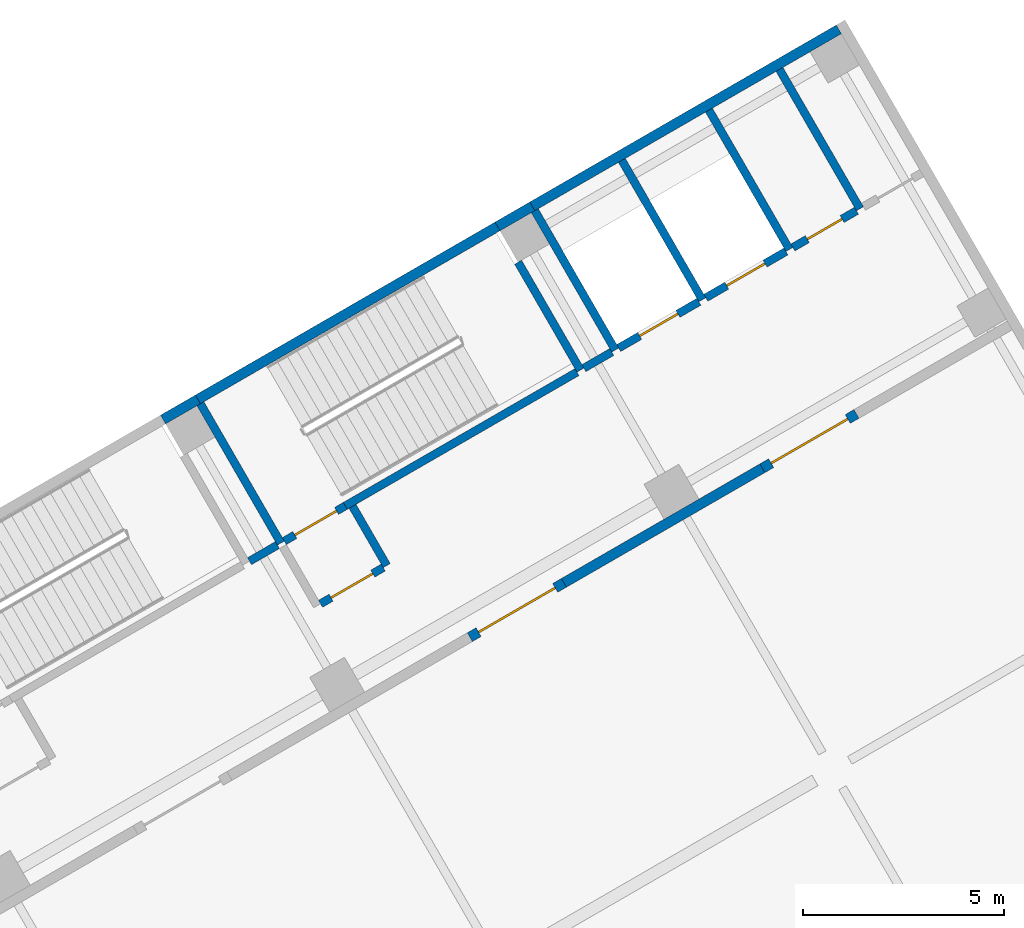
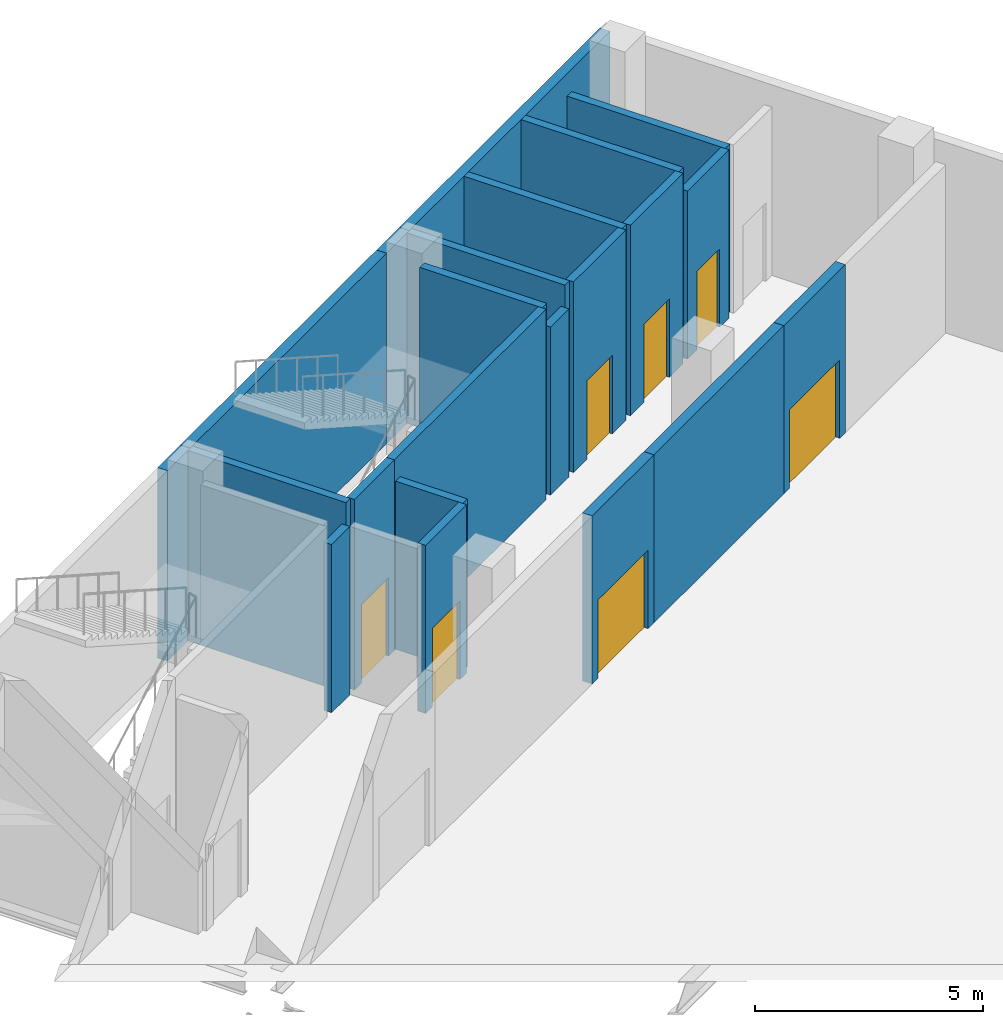
# One storey, part 20 of 35: 22 walls, 7 doors, 7 openings.
"""IFC4 building model written with IfcOpenShell, lengths in metres."""

from ifc_helpers import new_model, si_unit, direction, frame, frame_2d, origin, place, context, subcontext, project, spatial, rectangle, extrude, material, layer, layer_set, type_object, element, fill, save


model = new_model("IFC4")

# Units and contexts
model_context = context("Model", 3, precision=1e-05, world=origin(), true_north=direction((0.0, 1.0)))
body_context = subcontext(model_context, "Body", "Model", "MODEL_VIEW")
ifc_project = project(units=[si_unit("LENGTHUNIT", "METRE"), si_unit("AREAUNIT", "SQUARE_METRE"), si_unit("VOLUMEUNIT", "CUBIC_METRE"), si_unit("PLANEANGLEUNIT", "RADIAN"), si_unit("MASSUNIT", "GRAM", prefix="KILO")], contexts=[model_context])

# Site, building, storey
site_placement = place(None, origin())
site = spatial("IfcSite", under=ifc_project, at=site_placement, CompositionType="ELEMENT")
building_placement = place(site_placement, origin())
building = spatial("IfcBuilding", under=site, at=building_placement, Name="Mestral Congress Tower", CompositionType="ELEMENT")
storey_placement = place(building_placement, frame((0.0, 0.0, 6.0)))
storey = spatial("IfcBuildingStorey", under=building, at=storey_placement, Name="L01", CompositionType="ELEMENT", Elevation=6.0)

# Walls
ifc_material_1 = material(Name="Precast concrete C40/50 with limestone facing", Category="masonry")
ifc_layer_1 = layer(ifc_material_1, 0.25)
ifc_layer_set_1 = layer_set([ifc_layer_1], Name="Precast concrete C40/50 with limestone facing")
wall_type_1 = type_object("IfcWallType", Name="Podium external wall 250", PredefinedType="SOLIDWALL", material=ifc_layer_set_1)
wall_1_placement = place(storey_placement, frame((27.9345703125, 62.171875, 0.0), z_axis=(0.0, 0.0, 1.0), x_axis=(0.86604045752, 0.499973925258, 0.0)))
element("IfcWall", 1, at=wall_1_placement, inside=storey, type_object=wall_type_1, Name="L01 external wall", PredefinedType="SOLIDWALL", context=body_context, shape_type="SweptSolid", body=[
    extrude(rectangle(XDim=8.60009765625, YDim=0.25, at=frame_2d((4.300048828125, 0.0))), origin(), (0.0, 0.0, 1.0), 5.10009765625),
])
wall_2_placement = place(storey_placement, frame((36.24853515625, 66.9716796875, 0.0), z_axis=(0.0, 0.0, 1.0), x_axis=(0.866013253925, 0.500021043584, 0.0)))
element("IfcWall", 2, at=wall_2_placement, inside=storey, type_object=wall_type_1, Name="L01 external wall", PredefinedType="SOLIDWALL", context=body_context, shape_type="SweptSolid", body=[
    extrude(rectangle(XDim=8.7998046875, YDim=0.25, at=frame_2d((4.39990234375, 0.0))), origin(), (0.0, 0.0, 1.0), 5.10009765625),
])
for number, where, z_axis, x_axis, name in (
    (3, (27.068603515625, 61.671875, 0.0), (0.0, 0.0, 1.0), (0.866010750942, 0.50002537861, 0.0), "L01 external wall"),
    (4, (35.382568359375, 66.4716796875, 0.0), (0.0, 0.0, 1.0), (0.866010750942, 0.50002537861, 0.0), "L01 external wall"),
):
    element("IfcWall", number, at=place(storey_placement, frame(where, z_axis=z_axis, x_axis=x_axis)), inside=storey, type_object=wall_type_1, Name=name, PredefinedType="SOLIDWALL", context=body_context, shape_type="SweptSolid", body=[
        extrude(rectangle(XDim=1.0, YDim=0.25, at=frame_2d((0.5, 0.0))), origin(), (0.0, 0.0, 1.0), 5.10009765625),
    ])

# Wall, opening, door
ifc_material_2 = material(Name="Masonry block wall", Category="masonry")
ifc_layer_2 = layer(ifc_material_2, 0.25)
ifc_layer_set_2 = layer_set([ifc_layer_2], Name="Masonry block wall")
wall_type_2 = type_object("IfcWallType", Name="Podium hall wall 250 EI 180", PredefinedType="SOLIDWALL", material=ifc_layer_set_2)
wall_3_placement = place(storey_placement, frame((34.696044921875, 56.260498046875, 0.0), z_axis=(0.0, 0.0, 1.0), x_axis=(0.866019956843, 0.50000943426, 0.0)))
wall_3 = element("IfcWall", 5, at=wall_3_placement, inside=storey, type_object=wall_type_2, Name="L01 partition", PredefinedType="SOLIDWALL", context=body_context, shape_type="SweptSolid", body=[
    extrude(rectangle(XDim=2.7001953125, YDim=0.25, at=frame_2d((1.35009765625, 0.0))), origin(), (0.0, 0.0, 1.0), 4.5),
])
opening_1_placement = place(wall_3_placement, frame((0.25, 0.0, 0.0)))
opening_1 = element("IfcOpeningElement", 6, at=opening_1_placement, cuts=wall_3, Name="Opening P01-025", PredefinedType="OPENING", context=body_context, shape_type="SweptSolid", body=[
    extrude(rectangle(XDim=2.199951171875, YDim=2.10009765625, at=frame_2d((1.10009765625, 1.050048828125))), frame((0.0, 0.135009765625, 0.0), z_axis=(0.0, -1.0, 0.0), x_axis=(1.0, 0.0, 0.0)), (0.0, 0.0, 1.0), 0.27001953125),
])
ifc_material_3 = material(Name="Fire-rated steel door set", Category="steel")
door_type_1 = type_object("IfcDoorType", Name="Podium hall door 2200x2100 EI2 90-C5", OperationType="DOUBLE_DOOR_SINGLE_SWING", PredefinedType="DOOR", material=ifc_material_3)
door_1_placement = place(opening_1_placement, origin())
door_1 = element("IfcDoor", 7, at=door_1_placement, inside=storey, type_object=door_type_1, Name="Door P01-025", OperationType="DOUBLE_DOOR_SINGLE_SWING", OverallHeight=2.10009765625, OverallWidth=2.199951171875, PredefinedType="DOOR", context=body_context, shape_type="SweptSolid", body=[
    extrude(rectangle(XDim=2.199951171875, YDim=2.10009765625, at=frame_2d((1.10009765625, 1.050048828125))), frame((0.0, 0.02490234375, 0.0), z_axis=(0.0, -1.0, 0.0), x_axis=(1.0, 0.0, 0.0)), (0.0, 0.0, 1.0), 0.050048828125),
])
fill(opening_1, door_1)

# Wall
wall_4_placement = place(storey_placement, frame((37.034423828125, 57.610595703125, 0.0), z_axis=(0.0, 0.0, 1.0), x_axis=(0.866015111908, 0.50001782563, 0.0)))
element("IfcWall", 8, at=wall_4_placement, inside=storey, type_object=wall_type_2, Name="L01 partition", PredefinedType="SOLIDWALL", context=body_context, shape_type="SweptSolid", body=[
    extrude(rectangle(XDim=5.699951171875, YDim=0.25, at=frame_2d((2.85009765625, 0.0))), origin(), (0.0, 0.0, 1.0), 4.5),
])

# Wall, opening, door
wall_5_placement = place(storey_placement, frame((41.970703125, 60.460693359375, 0.0), z_axis=(0.0, 0.0, 1.0), x_axis=(0.866059108428, 0.4999416173, 0.0)))
wall_5 = element("IfcWall", 9, at=wall_5_placement, inside=storey, type_object=wall_type_2, Name="L01 partition", PredefinedType="SOLIDWALL", context=body_context, shape_type="SweptSolid", body=[
    extrude(rectangle(XDim=2.699951171875, YDim=0.25, at=frame_2d((1.35009765625, 0.0))), origin(), (0.0, 0.0, 1.0), 4.5),
])
opening_2_placement = place(wall_5_placement, frame((0.25, 0.0, 0.0)))
opening_2 = element("IfcOpeningElement", 10, at=opening_2_placement, cuts=wall_5, Name="Opening P01-026", PredefinedType="OPENING", context=body_context, shape_type="SweptSolid", body=[
    extrude(rectangle(XDim=2.199951171875, YDim=2.10009765625, at=frame_2d((1.10009765625, 1.050048828125))), frame((0.0, 0.135009765625, 0.0), z_axis=(0.0, -1.0, 0.0), x_axis=(1.0, 0.0, 0.0)), (0.0, 0.0, 1.0), 0.27001953125),
])
door_2_placement = place(opening_2_placement, origin())
door_2 = element("IfcDoor", 11, at=door_2_placement, inside=storey, type_object=door_type_1, Name="Door P01-026", OperationType="DOUBLE_DOOR_SINGLE_SWING", OverallHeight=2.10009765625, OverallWidth=2.199951171875, PredefinedType="DOOR", context=body_context, shape_type="SweptSolid", body=[
    extrude(rectangle(XDim=2.199951171875, YDim=2.10009765625, at=frame_2d((1.10009765625, 1.050048828125))), frame((0.0, 0.02490234375, 0.0), z_axis=(0.0, -1.0, 0.0), x_axis=(1.0, 0.0, 0.0)), (0.0, 0.0, 1.0), 0.050048828125),
])
fill(opening_2, door_2)

# Walls
ifc_layer_3 = layer(ifc_material_2, 0.199951171875)
ifc_layer_set_3 = layer_set([ifc_layer_3], Name="Masonry block wall")
wall_type_3 = type_object("IfcWallType", Name="Podium stair enclosure wall 200 EI 120 load-bearing", PredefinedType="SOLIDWALL", material=ifc_layer_set_3)
wall_6_placement = place(storey_placement, frame((29.9970703125, 58.599365234375, 0.0), z_axis=(0.0, 0.0, 1.0), x_axis=(-0.49999894854, 0.866026010844, 0.0)))
element("IfcWall", 12, at=wall_6_placement, inside=storey, type_object=wall_type_3, Name="L01 partition", PredefinedType="SOLIDWALL", context=body_context, shape_type="SweptSolid", body=[
    extrude(rectangle(XDim=4.0, YDim=0.199951171875, at=frame_2d((2.0, 0.0))), origin(), (0.0, 0.0, 1.0), 5.10009765625),
])
wall_7_placement = place(storey_placement, frame((37.445068359375, 62.8994140625, 0.0), z_axis=(0.0, 0.0, 1.0), x_axis=(-0.500026960575, 0.86600983753, 0.0)))
element("IfcWall", 13, at=wall_7_placement, inside=storey, type_object=wall_type_3, Name="L01 partition", PredefinedType="SOLIDWALL", context=body_context, shape_type="SweptSolid", body=[
    extrude(rectangle(XDim=3.099853515625, YDim=0.199951171875, at=frame_2d((1.5498046875, 0.0))), origin(), (0.0, 0.0, 1.0), 5.10009765625),
])

# Wall, opening, door
wall_8_placement = place(storey_placement, frame((30.083740234375, 58.6494140625, 0.0), z_axis=(0.0, 0.0, 1.0), x_axis=(0.866036909293, 0.499980071345, 0.0)))
wall_8 = element("IfcWall", 14, at=wall_8_placement, inside=storey, type_object=wall_type_3, Name="L01 partition", PredefinedType="SOLIDWALL", context=body_context, shape_type="SweptSolid", body=[
    extrude(rectangle(XDim=1.75, YDim=0.199951171875, at=frame_2d((0.875, 0.0))), origin(), (0.0, 0.0, 1.0), 5.10009765625),
])
opening_3_placement = place(wall_8_placement, frame((0.300048828125, 0.0, 0.0)))
opening_3 = element("IfcOpeningElement", 15, at=opening_3_placement, cuts=wall_8, Name="Opening P01-006", PredefinedType="OPENING", context=body_context, shape_type="SweptSolid", body=[
    extrude(rectangle(XDim=1.199951171875, YDim=2.10009765625, at=frame_2d((0.60009765625, 1.050048828125))), frame((0.0, 0.10986328125, 0.0), z_axis=(0.0, -1.0, 0.0), x_axis=(1.0, 0.0, 0.0)), (0.0, 0.0, 1.0), 0.219970703125),
])
door_type_2 = type_object("IfcDoorType", Name="Podium stair door 1200x2100 EI2 30-C5", OperationType="SINGLE_SWING_LEFT", PredefinedType="DOOR", material=ifc_material_3)
door_3_placement = place(opening_3_placement, origin())
door_3 = element("IfcDoor", 16, at=door_3_placement, inside=storey, type_object=door_type_2, Name="Door P01-006", OperationType="SINGLE_SWING_LEFT", OverallHeight=2.10009765625, OverallWidth=1.199951171875, PredefinedType="DOOR", context=body_context, shape_type="SweptSolid", body=[
    extrude(rectangle(XDim=1.199951171875, YDim=2.10009765625, at=frame_2d((0.60009765625, 1.050048828125))), frame((0.0, 0.02490234375, 0.0), z_axis=(0.0, -1.0, 0.0), x_axis=(1.0, 0.0, 0.0)), (0.0, 0.0, 1.0), 0.050048828125),
])
fill(opening_3, door_3)

# Walls
wall_9_placement = place(storey_placement, frame((31.599365234375, 59.5244140625, 0.0), z_axis=(0.0, 0.0, 1.0), x_axis=(0.866027239912, 0.49999681972, 0.0)))
element("IfcWall", 17, at=wall_9_placement, inside=storey, type_object=wall_type_3, Name="L01 partition", PredefinedType="SOLIDWALL", context=body_context, shape_type="SweptSolid", body=[
    extrude(rectangle(XDim=6.64990234375, YDim=0.199951171875, at=frame_2d((3.324951171875, 0.0))), origin(), (0.0, 0.0, 1.0), 5.10009765625),
])
for number, where, z_axis, x_axis, name in (
    (18, (38.31103515625, 63.3994140625, 0.0), (0.0, 0.0, 1.0), (-0.49999894854, 0.866026010844, 0.0), "L01 partition"),
    (19, (40.47607421875, 64.6494140625, 0.0), (0.0, 0.0, 1.0), (-0.49999894854, 0.866026010844, 0.0), "L01 partition"),
    (20, (42.64111328125, 65.8994140625, 0.0), (0.0, 0.0, 1.0), (-0.49999894854, 0.866026010844, 0.0), "L01 partition"),
):
    element("IfcWall", number, at=place(storey_placement, frame(where, z_axis=z_axis, x_axis=x_axis)), inside=storey, type_object=wall_type_3, Name=name, PredefinedType="SOLIDWALL", context=body_context, shape_type="SweptSolid", body=[
        extrude(rectangle(XDim=4.0, YDim=0.199951171875, at=frame_2d((2.0, 0.0))), origin(), (0.0, 0.0, 1.0), 5.10009765625),
    ])

# Wall, opening, door
wall_10_placement = place(storey_placement, frame((38.397705078125, 63.449462890625, 0.0), z_axis=(0.0, 0.0, 1.0), x_axis=(0.86602648383, 0.499998129301, 0.0)))
wall_10 = element("IfcWall", 21, at=wall_10_placement, inside=storey, type_object=wall_type_3, Name="L01 partition", PredefinedType="SOLIDWALL", context=body_context, shape_type="SweptSolid", body=[
    extrude(rectangle(XDim=2.2998046875, YDim=0.199951171875, at=frame_2d((1.14990234375, 0.0))), origin(), (0.0, 0.0, 1.0), 5.10009765625),
])
opening_4_placement = place(wall_10_placement, frame((0.60009765625, 0.0, 0.0)))
opening_4 = element("IfcOpeningElement", 22, at=opening_4_placement, cuts=wall_10, Name="Opening P01-009", PredefinedType="OPENING", context=body_context, shape_type="SweptSolid", body=[
    extrude(rectangle(XDim=1.10009765625, YDim=2.10009765625, at=frame_2d((0.550048828125, 1.050048828125))), frame((0.0, 0.10986328125, 0.0), z_axis=(0.0, -1.0, 0.0), x_axis=(1.0, 0.0, 0.0)), (0.0, 0.0, 1.0), 0.219970703125),
])
door_type_3 = type_object("IfcDoorType", Name="Podium lift landing door 1100x2100 EI2 60-C5", OperationType="DOUBLE_DOOR_SLIDING", PredefinedType="DOOR", material=ifc_material_3)
door_4_placement = place(opening_4_placement, origin())
door_4 = element("IfcDoor", 23, at=door_4_placement, inside=storey, type_object=door_type_3, Name="Door P01-009", OperationType="DOUBLE_DOOR_SLIDING", OverallHeight=2.10009765625, OverallWidth=1.10009765625, PredefinedType="DOOR", context=body_context, shape_type="SweptSolid", body=[
    extrude(rectangle(XDim=1.10009765625, YDim=2.10009765625, at=frame_2d((0.550048828125, 1.050048828125))), frame((0.0, 0.02490234375, 0.0), z_axis=(0.0, -1.0, 0.0), x_axis=(1.0, 0.0, 0.0)), (0.0, 0.0, 1.0), 0.050048828125),
])
fill(opening_4, door_4)

wall_11_placement = place(storey_placement, frame((40.562744140625, 64.699462890625, 0.0), z_axis=(0.0, 0.0, 1.0), x_axis=(0.86602648383, 0.499998129301, 0.0)))
wall_11 = element("IfcWall", 24, at=wall_11_placement, inside=storey, type_object=wall_type_3, Name="L01 partition", PredefinedType="SOLIDWALL", context=body_context, shape_type="SweptSolid", body=[
    extrude(rectangle(XDim=2.2998046875, YDim=0.199951171875, at=frame_2d((1.14990234375, 0.0))), origin(), (0.0, 0.0, 1.0), 5.10009765625),
])
opening_5_placement = place(wall_11_placement, frame((0.60009765625, 0.0, 0.0)))
opening_5 = element("IfcOpeningElement", 25, at=opening_5_placement, cuts=wall_11, Name="Opening P01-010", PredefinedType="OPENING", context=body_context, shape_type="SweptSolid", body=[
    extrude(rectangle(XDim=1.10009765625, YDim=2.10009765625, at=frame_2d((0.550048828125, 1.050048828125))), frame((0.0, 0.10986328125, 0.0), z_axis=(0.0, -1.0, 0.0), x_axis=(1.0, 0.0, 0.0)), (0.0, 0.0, 1.0), 0.219970703125),
])
door_5_placement = place(opening_5_placement, origin())
door_5 = element("IfcDoor", 26, at=door_5_placement, inside=storey, type_object=door_type_3, Name="Door P01-010", OperationType="DOUBLE_DOOR_SLIDING", OverallHeight=2.10009765625, OverallWidth=1.10009765625, PredefinedType="DOOR", context=body_context, shape_type="SweptSolid", body=[
    extrude(rectangle(XDim=1.10009765625, YDim=2.10009765625, at=frame_2d((0.550048828125, 1.050048828125))), frame((0.0, 0.02490234375, 0.0), z_axis=(0.0, -1.0, 0.0), x_axis=(1.0, 0.0, 0.0)), (0.0, 0.0, 1.0), 0.050048828125),
])
fill(opening_5, door_5)

# Wall
ifc_material_4 = material(Name="Fire-rated board partition")
ifc_layer_4 = layer(ifc_material_4, 0.199951171875)
ifc_layer_set_4 = layer_set([ifc_layer_4], Name="Fire-rated board partition")
wall_type_4 = type_object("IfcWallType", Name="Podium vestibule wall 200 EI 120", PredefinedType="PARTITIONING", material=ifc_layer_set_4)
wall_12_placement = place(storey_placement, frame((32.629150390625, 58.04052734375, 0.0), z_axis=(0.0, 0.0, 1.0), x_axis=(-0.499954529098, 0.86605165483, 0.0)))
element("IfcWall", 27, at=wall_12_placement, inside=storey, type_object=wall_type_4, Name="L01 partition", PredefinedType="PARTITIONING", context=body_context, shape_type="SweptSolid", body=[
    extrude(rectangle(XDim=1.699951171875, YDim=0.199951171875, at=frame_2d((0.85009765625, 0.0))), origin(), (0.0, 0.0, 1.0), 4.5),
])

# Wall, opening, door
wall_13_placement = place(storey_placement, frame((30.983642578125, 57.090576171875, 0.0), z_axis=(0.0, 0.0, 1.0), x_axis=(0.866047807691, 0.499961193289, 0.0)))
wall_13 = element("IfcWall", 28, at=wall_13_placement, inside=storey, type_object=wall_type_4, Name="L01 partition", PredefinedType="PARTITIONING", context=body_context, shape_type="SweptSolid", body=[
    extrude(rectangle(XDim=1.800048828125, YDim=0.199951171875, at=frame_2d((0.89990234375, 0.0))), origin(), (0.0, 0.0, 1.0), 4.5),
])
opening_6_placement = place(wall_13_placement, frame((0.300048828125, 0.0, 0.0)))
opening_6 = element("IfcOpeningElement", 29, at=opening_6_placement, cuts=wall_13, Name="Opening P01-016", PredefinedType="OPENING", context=body_context, shape_type="SweptSolid", body=[
    extrude(rectangle(XDim=1.199951171875, YDim=2.10009765625, at=frame_2d((0.60009765625, 1.050048828125))), frame((0.0, 0.10986328125, 0.0), z_axis=(0.0, -1.0, 0.0), x_axis=(1.0, 0.0, 0.0)), (0.0, 0.0, 1.0), 0.219970703125),
])
door_type_4 = type_object("IfcDoorType", Name="Podium vestibule door 1200x2100 EI2 30-C5", OperationType="SINGLE_SWING_LEFT", PredefinedType="DOOR", material=ifc_material_3)
door_6_placement = place(opening_6_placement, origin())
door_6 = element("IfcDoor", 30, at=door_6_placement, inside=storey, type_object=door_type_4, Name="Door P01-016", OperationType="SINGLE_SWING_LEFT", OverallHeight=2.10009765625, OverallWidth=1.199951171875, PredefinedType="DOOR", context=body_context, shape_type="SweptSolid", body=[
    extrude(rectangle(XDim=1.199951171875, YDim=2.10009765625, at=frame_2d((0.60009765625, 1.050048828125))), frame((0.0, 0.02490234375, 0.0), z_axis=(0.0, -1.0, 0.0), x_axis=(1.0, 0.0, 0.0)), (0.0, 0.0, 1.0), 0.050048828125),
])
fill(opening_6, door_6)

# Wall
wall_14_placement = place(storey_placement, frame((44.394775390625, 66.911865234375, 0.0), z_axis=(0.0, 0.0, 1.0), x_axis=(-0.49999894854, 0.866026010844, 0.0)))
element("IfcWall", 31, at=wall_14_placement, inside=storey, type_object=wall_type_4, Name="L01 partition", PredefinedType="PARTITIONING", context=body_context, shape_type="SweptSolid", body=[
    extrude(rectangle(XDim=4.0, YDim=0.199951171875, at=frame_2d((2.0, 0.0))), origin(), (0.0, 0.0, 1.0), 4.5),
])

# Wall, opening, door
wall_15_placement = place(storey_placement, frame((42.727783203125, 65.949462890625, 0.0), z_axis=(0.0, 0.0, 1.0), x_axis=(0.866036312054, 0.499981105847, 0.0)))
wall_15 = element("IfcWall", 32, at=wall_15_placement, inside=storey, type_object=wall_type_4, Name="L01 partition", PredefinedType="PARTITIONING", context=body_context, shape_type="SweptSolid", body=[
    extrude(rectangle(XDim=1.82470703125, YDim=0.199951171875, at=frame_2d((0.912353515625, 0.0))), origin(), (0.0, 0.0, 1.0), 4.5),
])
opening_7_placement = place(wall_15_placement, frame((0.41259765625, 0.0, 0.0)))
opening_7 = element("IfcOpeningElement", 33, at=opening_7_placement, cuts=wall_15, Name="Opening P01-031", PredefinedType="OPENING", context=body_context, shape_type="SweptSolid", body=[
    extrude(rectangle(XDim=1.0, YDim=2.10009765625, at=frame_2d((0.5, 1.050048828125))), frame((0.0, 0.10986328125, 0.0), z_axis=(0.0, -1.0, 0.0), x_axis=(1.0, 0.0, 0.0)), (0.0, 0.0, 1.0), 0.219970703125),
])
door_type_5 = type_object("IfcDoorType", Name="Podium room door 1000x2100 EI2 30-C5", OperationType="SINGLE_SWING_LEFT", PredefinedType="DOOR", material=ifc_material_3)
door_7_placement = place(opening_7_placement, origin())
door_7 = element("IfcDoor", 34, at=door_7_placement, inside=storey, type_object=door_type_5, Name="Door P01-031", OperationType="SINGLE_SWING_LEFT", OverallHeight=2.10009765625, OverallWidth=1.0, PredefinedType="DOOR", context=body_context, shape_type="SweptSolid", body=[
    extrude(rectangle(XDim=1.0, YDim=2.10009765625, at=frame_2d((0.5, 1.050048828125))), frame((0.0, 0.02490234375, 0.0), z_axis=(0.0, -1.0, 0.0), x_axis=(1.0, 0.0, 0.0)), (0.0, 0.0, 1.0), 0.050048828125),
])
fill(opening_7, door_7)

# Walls
wall_16_placement = place(storey_placement, frame((29.2177734375, 58.1494140625, 0.0), z_axis=(0.0, 0.0, 1.0), x_axis=(0.866017831539, 0.500013115284, 0.0)))
element("IfcWall", 35, at=wall_16_placement, inside=storey, type_object=wall_type_4, Name="L01 partition", PredefinedType="PARTITIONING", context=body_context, shape_type="SweptSolid", body=[
    extrude(rectangle(XDim=0.7998046875, YDim=0.199951171875, at=frame_2d((0.39990234375, 0.0))), origin(), (0.0, 0.0, 1.0), 4.5),
])
wall_17_placement = place(storey_placement, frame((37.531494140625, 62.949462890625, 0.0), z_axis=(0.0, 0.0, 1.0), x_axis=(0.866094119867, 0.499880961361, 0.0)))
element("IfcWall", 36, at=wall_17_placement, inside=storey, type_object=wall_type_4, Name="L01 partition", PredefinedType="PARTITIONING", context=body_context, shape_type="SweptSolid", body=[
    extrude(rectangle(XDim=0.800048828125, YDim=0.199951171875, at=frame_2d((0.39990234375, 0.0))), origin(), (0.0, 0.0, 1.0), 4.5),
])

save(model, "model.ifc")
